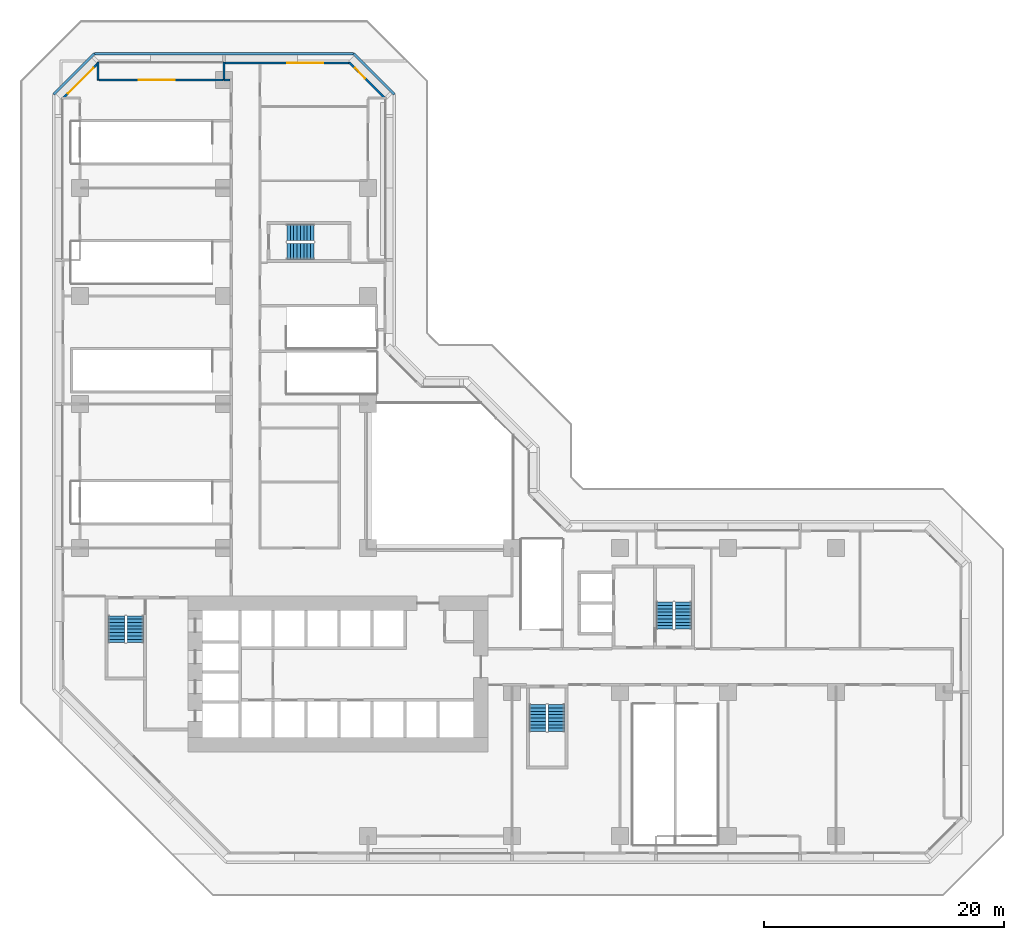
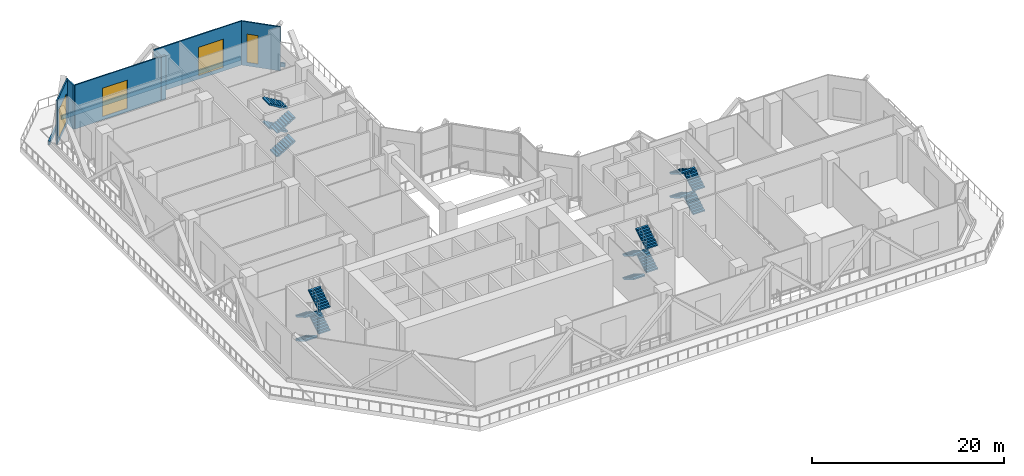
# One storey, part 10 of 16: 16 stair flights, 10 walls, 4 windows, 4 openings, 4 elements without a shape of their own.
"""IFC4 building model written with IfcOpenShell, lengths in metres."""

from ifc_helpers import new_model, si_unit, direction, frame, frame_2d, origin, place, context, subcontext, project, spatial, polyline, rectangle, outline, extrude, material, layer, layer_set, type_object, element, fill, aggregate, save


model = new_model("IFC4")

# Units and contexts
model_context = context("Model", 3, precision=1e-05, world=origin(), true_north=direction((0.0, 1.0)))
body_context = subcontext(model_context, "Body", "Model", "MODEL_VIEW")
ifc_project = project(units=[si_unit("LENGTHUNIT", "METRE"), si_unit("AREAUNIT", "SQUARE_METRE"), si_unit("VOLUMEUNIT", "CUBIC_METRE"), si_unit("PLANEANGLEUNIT", "RADIAN"), si_unit("MASSUNIT", "GRAM", prefix="KILO")], contexts=[model_context])

# Site, building, storey
site_placement = place(None, origin())
site = spatial("IfcSite", under=ifc_project, at=site_placement, CompositionType="ELEMENT")
building_placement = place(site_placement, origin())
building = spatial("IfcBuilding", under=site, at=building_placement, Name="Chenar Terraces", CompositionType="ELEMENT")
storey_placement = place(building_placement, frame((0.0, 0.0, 35.39990234375)))
storey = spatial("IfcBuildingStorey", under=building, at=storey_placement, Name="L06", CompositionType="ELEMENT", Elevation=35.39990234375)

# Wall
ifc_material_1 = material(Name="Gypsum board on steel studs with fire boards", Category="steel")
ifc_layer_1 = layer(ifc_material_1, 0.199951171875)
ifc_layer_set_1 = layer_set([ifc_layer_1], Name="Gypsum board on steel studs with fire boards")
wall_type_1 = type_object("IfcWallType", Name="Corridor wall 200", PredefinedType="PARTITIONING", material=ifc_layer_set_1)
wall_1_placement = place(storey_placement, frame((12.0, 63.0, 0.0), z_axis=(0.0, 0.0, 1.0), x_axis=(1.0, 0.0, 0.0)))
element("IfcWall", 1, at=wall_1_placement, inside=storey, type_object=wall_type_1, Name="Partition L06-014", PredefinedType="PARTITIONING", context=body_context, shape_type="SweptSolid", body=[
    extrude(rectangle(XDim=0.5, YDim=0.199951171875, at=frame_2d((0.25, 0.0))), origin(), (0.0, 0.0, 1.0), 5.60009765625),
])

# Wall, opening, window
ifc_material_2 = material(Name="Aluminium framed glazing", Category="aluminium")
ifc_layer_2 = layer(ifc_material_2, 0.14990234375)
ifc_layer_set_2 = layer_set([ifc_layer_2], Name="Aluminium framed glazing")
wall_type_2 = type_object("IfcWallType", Name="Glazed flush facade wall 150", PredefinedType="SOLIDWALL", material=ifc_layer_set_2)
wall_2_placement = place(storey_placement, frame((22.5, 64.425048828125, 0.0), z_axis=(0.0, 0.0, 1.0), x_axis=(-1.0, 0.0, 0.0)))
wall_2 = element("IfcWall", 2, at=wall_2_placement, inside=storey, type_object=wall_type_2, Name="Glazed flush facade wall", PredefinedType="SOLIDWALL", context=body_context, shape_type="SweptSolid", body=[
    extrude(rectangle(XDim=10.425048828125, YDim=0.14990234375, at=frame_2d((5.21240234375, 0.0))), origin(), (0.0, 0.0, 1.0), 5.60009765625),
])
opening_1_placement = place(wall_2_placement, frame((2.25, 0.0, 0.449951171875)))
opening_1 = element("IfcOpeningElement", 3, at=opening_1_placement, cuts=wall_2, Name="Opening W300x360", PredefinedType="OPENING", context=body_context, shape_type="SweptSolid", body=[
    extrude(rectangle(XDim=3.0, YDim=3.60009765625, at=frame_2d((1.5, 1.800048828125))), frame((0.0, 0.0849609375, 0.0), z_axis=(0.0, -1.0, 0.0), x_axis=(1.0, 0.0, 0.0)), (0.0, 0.0, 1.0), 0.169921875),
])
ifc_material_3 = material(Name="Low emissivity double glazing, aluminium frame", Category="aluminium")
window_type_1 = type_object("IfcWindowType", Name="Fixed light 3000 x 3600", PartitioningType="SINGLE_PANEL", PredefinedType="WINDOW", material=ifc_material_3)
window_1_placement = place(opening_1_placement, origin())
window_1 = element("IfcWindow", 4, at=window_1_placement, inside=storey, type_object=window_type_1, Name="Window", OverallHeight=3.60009765625, OverallWidth=3.0, PartitioningType="SINGLE_PANEL", PredefinedType="WINDOW", context=body_context, shape_type="SweptSolid", body=[
    extrude(rectangle(XDim=3.0, YDim=3.60009765625, at=frame_2d((1.5, 1.800048828125))), frame((0.0, 0.030029296875, 0.0), z_axis=(0.0, -1.0, 0.0), x_axis=(1.0, 0.0, 0.0)), (0.0, 0.0, 1.0), 0.06005859375),
])
fill(opening_1, window_1)

ifc_material_4 = material(Name="Aluminium framed glazing", Category="aluminium")
ifc_layer_3 = layer(ifc_material_4, 0.14990234375)
ifc_layer_set_3 = layer_set([ifc_layer_3], Name="Aluminium framed glazing")
wall_type_3 = type_object("IfcWallType", Name="Glazed loggia back wall 150", PredefinedType="SOLIDWALL", material=ifc_layer_set_3)
wall_3_placement = place(storey_placement, frame((11.925048828125, 63.0, 0.0), z_axis=(0.0, 0.0, 1.0), x_axis=(-1.0, 0.0, 0.0)))
wall_3 = element("IfcWall", 5, at=wall_3_placement, inside=storey, type_object=wall_type_3, Name="Glazed loggia back wall", PredefinedType="SOLIDWALL", context=body_context, shape_type="SweptSolid", body=[
    extrude(rectangle(XDim=10.35009765625, YDim=0.14990234375, at=frame_2d((5.175048828125, 0.0))), origin(), (0.0, 0.0, 1.0), 5.60009765625),
])
opening_2_placement = place(wall_3_placement, frame((4.03759765625, 0.0, 0.449951171875)))
opening_2 = element("IfcOpeningElement", 6, at=opening_2_placement, cuts=wall_3, Name="Opening W300x360", PredefinedType="OPENING", context=body_context, shape_type="SweptSolid", body=[
    extrude(rectangle(XDim=3.0, YDim=3.60009765625, at=frame_2d((1.5, 1.800048828125))), frame((0.0, 0.0849609375, 0.0), z_axis=(0.0, -1.0, 0.0), x_axis=(1.0, 0.0, 0.0)), (0.0, 0.0, 1.0), 0.169921875),
])
window_2_placement = place(opening_2_placement, origin())
window_2 = element("IfcWindow", 7, at=window_2_placement, inside=storey, type_object=window_type_1, Name="Window", OverallHeight=3.60009765625, OverallWidth=3.0, PartitioningType="SINGLE_PANEL", PredefinedType="WINDOW", context=body_context, shape_type="SweptSolid", body=[
    extrude(rectangle(XDim=3.0, YDim=3.60009765625, at=frame_2d((1.5, 1.800048828125))), frame((0.0, 0.030029296875, 0.0), z_axis=(0.0, -1.0, 0.0), x_axis=(1.0, 0.0, 0.0)), (0.0, 0.0, 1.0), 0.06005859375),
])
fill(opening_2, window_2)

# Walls
ifc_material_5 = material(Name="Terracotta cladding on insulated backing", Category="masonry")
ifc_layer_4 = layer(ifc_material_5, 0.14990234375)
ifc_layer_set_4 = layer_set([ifc_layer_4], Name="Terracotta cladding on insulated backing")
wall_type_4 = type_object("IfcWallType", Name="Loggia return wall 150", PredefinedType="SOLIDWALL", material=ifc_layer_set_4)
for number, where, z_axis, x_axis, name in (
    (8, (12.0, 64.5, 0.0), (0.0, 0.0, 1.0), (0.0, -1.0, 0.0), "Loggia return wall"),
    (9, (1.5, 64.5, 0.0), (0.0, 0.0, 1.0), (0.0, -1.0, 0.0), "Loggia return wall"),
):
    element("IfcWall", number, at=place(storey_placement, frame(where, z_axis=z_axis, x_axis=x_axis)), inside=storey, type_object=wall_type_4, Name=name, PredefinedType="SOLIDWALL", context=body_context, shape_type="SweptSolid", body=[
        extrude(rectangle(XDim=1.5, YDim=0.14990234375, at=frame_2d((0.75, 0.0))), origin(), (0.0, 0.0, 1.0), 5.60009765625),
    ])
ifc_material_6 = material(Name="Terracotta cladding on insulated backing", Category="masonry")
ifc_layer_5 = layer(ifc_material_6, 0.199951171875)
ifc_layer_set_5 = layer_set([ifc_layer_5], Name="Terracotta cladding on insulated backing")
wall_type_5 = type_object("IfcWallType", Name="Terrace parapet upstand 200", PredefinedType="PARAPET", material=ifc_layer_set_5)
wall_4_placement = place(storey_placement, frame((-2.199951171875, 61.7900390625, 0.0), z_axis=(0.0, 0.0, 1.0), x_axis=(0.707106781187, 0.707106781187, 0.0)))
element("IfcWall", 10, at=wall_4_placement, inside=storey, type_object=wall_type_5, Name="Terrace parapet", PredefinedType="PARAPET", context=body_context, shape_type="SweptSolid", body=[
    extrude(rectangle(XDim=4.822265625, YDim=0.199951171875, at=frame_2d((2.4111328125, 0.0))), origin(), (0.0, 0.0, 1.0), 0.5),
])
wall_5_placement = place(storey_placement, frame((1.2099609375, 65.199951171875, 0.0), z_axis=(0.0, 0.0, 1.0), x_axis=(1.0, 0.0, 0.0)))
element("IfcWall", 11, at=wall_5_placement, inside=storey, type_object=wall_type_5, Name="Terrace parapet", PredefinedType="PARAPET", context=body_context, shape_type="SweptSolid", body=[
    extrude(rectangle(XDim=21.580078125, YDim=0.199951171875, at=frame_2d((10.7900390625, 0.0))), origin(), (0.0, 0.0, 1.0), 0.5),
])
wall_6_placement = place(storey_placement, frame((22.7900390625, 65.199951171875, 0.0), z_axis=(0.0, 0.0, 1.0), x_axis=(0.707106781187, -0.707106781187, 0.0)))
element("IfcWall", 12, at=wall_6_placement, inside=storey, type_object=wall_type_5, Name="Terrace parapet", PredefinedType="PARAPET", context=body_context, shape_type="SweptSolid", body=[
    extrude(rectangle(XDim=4.822265625, YDim=0.199951171875, at=frame_2d((2.4111328125, 0.0))), origin(), (0.0, 0.0, 1.0), 0.5),
])

# Wall, opening, window
ifc_material_7 = material(Name="Terracotta cladding on insulated backing", Category="masonry")
ifc_layer_6 = layer(ifc_material_7, 0.14990234375)
ifc_layer_set_6 = layer_set([ifc_layer_6], Name="Terracotta cladding on insulated backing")
wall_type_6 = type_object("IfcWallType", Name="Terracotta rainscreen wall 150", PredefinedType="SOLIDWALL", material=ifc_layer_set_6)
wall_7_placement = place(storey_placement, frame((25.447021484375, 61.447021484375, 0.0), z_axis=(0.0, 0.0, 1.0), x_axis=(-0.707106781187, 0.707106781187, 0.0)))
wall_7 = element("IfcWall", 13, at=wall_7_placement, inside=storey, type_object=wall_type_6, Name="Terracotta rainscreen wall", PredefinedType="SOLIDWALL", context=body_context, shape_type="SweptSolid", body=[
    extrude(rectangle(XDim=4.24267578125, YDim=0.14990234375, at=frame_2d((2.121337890625, 0.0))), origin(), (0.0, 0.0, 1.0), 5.60009765625),
])
opening_3_placement = place(wall_7_placement, frame((2.39453125, 0.0, 0.449951171875)))
opening_3 = element("IfcOpeningElement", 14, at=opening_3_placement, cuts=wall_7, Name="Opening W120x360", PredefinedType="OPENING", context=body_context, shape_type="SweptSolid", body=[
    extrude(rectangle(XDim=1.199951171875, YDim=3.60009765625, at=frame_2d((0.60009765625, 1.800048828125))), frame((0.0, 0.0849609375, 0.0), z_axis=(0.0, -1.0, 0.0), x_axis=(1.0, 0.0, 0.0)), (0.0, 0.0, 1.0), 0.169921875),
])
ifc_material_8 = material(Name="Low emissivity double glazing, aluminium frame", Category="aluminium")
window_type_2 = type_object("IfcWindowType", Name="Fixed light 1200 x 3600", PartitioningType="SINGLE_PANEL", PredefinedType="WINDOW", material=ifc_material_8)
window_3_placement = place(opening_3_placement, origin())
window_3 = element("IfcWindow", 15, at=window_3_placement, inside=storey, type_object=window_type_2, Name="Window", OverallHeight=3.60009765625, OverallWidth=1.199951171875, PartitioningType="SINGLE_PANEL", PredefinedType="WINDOW", context=body_context, shape_type="SweptSolid", body=[
    extrude(rectangle(XDim=1.199951171875, YDim=3.60009765625, at=frame_2d((0.60009765625, 1.800048828125))), frame((0.0, 0.030029296875, 0.0), z_axis=(0.0, -1.0, 0.0), x_axis=(1.0, 0.0, 0.0)), (0.0, 0.0, 1.0), 0.06005859375),
])
fill(opening_3, window_3)

wall_8_placement = place(storey_placement, frame((1.552978515625, 64.447021484375, 0.0), z_axis=(0.0, 0.0, 1.0), x_axis=(-0.707106781187, -0.707106781187, 0.0)))
wall_8 = element("IfcWall", 16, at=wall_8_placement, inside=storey, type_object=wall_type_6, Name="Terracotta rainscreen wall", PredefinedType="SOLIDWALL", context=body_context, shape_type="SweptSolid", body=[
    extrude(rectangle(XDim=4.24267578125, YDim=0.14990234375, at=frame_2d((2.121337890625, 0.0))), origin(), (0.0, 0.0, 1.0), 5.60009765625),
])
opening_4_placement = place(wall_8_placement, frame((0.621337890625, 0.0, 0.449951171875)))
opening_4 = element("IfcOpeningElement", 17, at=opening_4_placement, cuts=wall_8, Name="Opening W300x360", PredefinedType="OPENING", context=body_context, shape_type="SweptSolid", body=[
    extrude(rectangle(XDim=3.0, YDim=3.60009765625, at=frame_2d((1.5, 1.800048828125))), frame((0.0, 0.0849609375, 0.0), z_axis=(0.0, -1.0, 0.0), x_axis=(1.0, 0.0, 0.0)), (0.0, 0.0, 1.0), 0.169921875),
])
window_4_placement = place(opening_4_placement, origin())
window_4 = element("IfcWindow", 18, at=window_4_placement, inside=storey, type_object=window_type_1, Name="Window", OverallHeight=3.60009765625, OverallWidth=3.0, PartitioningType="SINGLE_PANEL", PredefinedType="WINDOW", context=body_context, shape_type="SweptSolid", body=[
    extrude(rectangle(XDim=3.0, YDim=3.60009765625, at=frame_2d((1.5, 1.800048828125))), frame((0.0, 0.030029296875, 0.0), z_axis=(0.0, -1.0, 0.0), x_axis=(1.0, 0.0, 0.0)), (0.0, 0.0, 1.0), 0.06005859375),
])
fill(opening_4, window_4)

# Stair, stair flights
ifc_material_9 = material(Name="Reinforced concrete C40/50", Category="concrete")
stair_type = type_object("IfcStairType", Name="Core stair 1400 half-turn", PredefinedType="HALF_TURN_STAIR", material=ifc_material_9)
placement = place(storey_placement, origin())
stair_1 = element("IfcStair", 19, at=placement, inside=storey, type_object=stair_type, Name="L06 Stair 1", PredefinedType="HALF_TURN_STAIR")
ifc_material_10 = material(Name="Reinforced concrete C40/50", Category="concrete")
stair_flight_type = type_object("IfcStairFlightType", Name="Core stair flight 1400", PredefinedType="STRAIGHT", material=ifc_material_10)
stair_flight_1_placement = place(storey_placement, frame((3.050048828125, 18.35009765625, 0.0), z_axis=(0.0, 0.0, 1.0), x_axis=(0.0, -1.0, 0.0)))
stair_flight_1 = element("IfcStairFlight", 20, at=stair_flight_1_placement, type_object=stair_flight_type, Name="ST1 flight 1", NumberOfRisers=9, NumberOfTreads=8, PredefinedType="STRAIGHT", RiserHeight=0.166666667, TreadLength=0.28, context=body_context, shape_type="SweptSolid", body=[
    extrude(outline(polyline([(-0.0029296875, 0.0), (-0.0029296875, 0.166748046875), (0.0, 0.166748046875), (0.280029296875, 0.166748046875), (0.280029296875, 0.333251953125), (0.56005859375, 0.333251953125), (0.56005859375, 0.5), (0.840087890625, 0.5), (0.840087890625, 0.666748046875), (1.1201171875, 0.666748046875), (1.1201171875, 0.833251953125), (1.39990234375, 0.833251953125), (1.39990234375, 1.0), (1.679931640625, 1.0), (1.679931640625, 1.166748046875), (1.9599609375, 1.166748046875), (1.9599609375, 1.333251953125), (2.239990234375, 1.333251953125), (2.242919921875, 1.333251953125), (2.242919921875, 1.158935546875), (2.239990234375, 1.158935546875), (0.29296875, 0.0), (-0.0029296875, 0.0)])), frame((0.0, 0.699951171875, 0.0), z_axis=(0.0, -1.0, 0.0), x_axis=(1.0, 0.0, 0.0)), (0.0, 0.0, 1.0), 1.39990234375),
])
stair_flight_2_placement = place(storey_placement, frame((4.60009765625, 16.110107421875, 1.5), z_axis=(0.0, 0.0, 1.0), x_axis=(0.0, 1.0, 0.0)))
stair_flight_2 = element("IfcStairFlight", 21, at=stair_flight_2_placement, type_object=stair_flight_type, Name="ST1 flight 2", NumberOfRisers=9, NumberOfTreads=8, PredefinedType="STRAIGHT", RiserHeight=0.166666667, TreadLength=0.28, context=body_context, shape_type="SweptSolid", body=[
    extrude(outline(polyline([(-0.0029296875, 0.0), (-0.0029296875, 0.166748046875), (0.0, 0.166748046875), (0.280029296875, 0.166748046875), (0.280029296875, 0.333251953125), (0.56005859375, 0.333251953125), (0.56005859375, 0.5), (0.840087890625, 0.5), (0.840087890625, 0.666748046875), (1.1201171875, 0.666748046875), (1.1201171875, 0.833251953125), (1.39990234375, 0.833251953125), (1.39990234375, 1.0), (1.679931640625, 1.0), (1.679931640625, 1.166748046875), (1.9599609375, 1.166748046875), (1.9599609375, 1.333251953125), (2.239990234375, 1.333251953125), (2.242919921875, 1.333251953125), (2.242919921875, 1.158935546875), (2.239990234375, 1.158935546875), (0.29296875, 0.0), (-0.0029296875, 0.0)])), frame((0.0, 0.699951171875, 0.0), z_axis=(0.0, -1.0, 0.0), x_axis=(1.0, 0.0, 0.0)), (0.0, 0.0, 1.0), 1.39990234375),
])
stair_flight_3_placement = place(storey_placement, frame((3.050048828125, 18.35009765625, 3.0), z_axis=(0.0, 0.0, 1.0), x_axis=(0.0, -1.0, 0.0)))
stair_flight_3 = element("IfcStairFlight", 22, at=stair_flight_3_placement, type_object=stair_flight_type, Name="ST1 flight 3", NumberOfRisers=9, NumberOfTreads=8, PredefinedType="STRAIGHT", RiserHeight=0.166666667, TreadLength=0.28, context=body_context, shape_type="SweptSolid", body=[
    extrude(outline(polyline([(-0.0029296875, 0.0), (-0.0029296875, 0.166748046875), (0.0, 0.166748046875), (0.280029296875, 0.166748046875), (0.280029296875, 0.333251953125), (0.56005859375, 0.333251953125), (0.56005859375, 0.5), (0.840087890625, 0.5), (0.840087890625, 0.666748046875), (1.1201171875, 0.666748046875), (1.1201171875, 0.833251953125), (1.39990234375, 0.833251953125), (1.39990234375, 1.0), (1.679931640625, 1.0), (1.679931640625, 1.166748046875), (1.9599609375, 1.166748046875), (1.9599609375, 1.333251953125), (2.239990234375, 1.333251953125), (2.242919921875, 1.333251953125), (2.242919921875, 1.158935546875), (2.239990234375, 1.158935546875), (0.29296875, 0.0), (-0.0029296875, 0.0)])), frame((0.0, 0.699951171875, 0.0), z_axis=(0.0, -1.0, 0.0), x_axis=(1.0, 0.0, 0.0)), (0.0, 0.0, 1.0), 1.39990234375),
])
stair_flight_4_placement = place(storey_placement, frame((4.60009765625, 16.110107421875, 4.5), z_axis=(0.0, 0.0, 1.0), x_axis=(0.0, 1.0, 0.0)))
stair_flight_4 = element("IfcStairFlight", 23, at=stair_flight_4_placement, type_object=stair_flight_type, Name="ST1 flight 4", NumberOfRisers=9, NumberOfTreads=8, PredefinedType="STRAIGHT", RiserHeight=0.166666667, TreadLength=0.28, context=body_context, shape_type="SweptSolid", body=[
    extrude(outline(polyline([(-0.0029296875, 0.0), (-0.0029296875, 0.166748046875), (0.0, 0.166748046875), (0.280029296875, 0.166748046875), (0.280029296875, 0.333251953125), (0.56005859375, 0.333251953125), (0.56005859375, 0.5), (0.840087890625, 0.5), (0.840087890625, 0.666748046875), (1.1201171875, 0.666748046875), (1.1201171875, 0.833251953125), (1.39990234375, 0.833251953125), (1.39990234375, 1.0), (1.679931640625, 1.0), (1.679931640625, 1.166748046875), (1.9599609375, 1.166748046875), (1.9599609375, 1.333251953125), (2.239990234375, 1.333251953125), (2.242919921875, 1.333251953125), (2.242919921875, 1.158935546875), (2.239990234375, 1.158935546875), (0.29296875, 0.0), (-0.0029296875, 0.0)])), frame((0.0, 0.699951171875, 0.0), z_axis=(0.0, -1.0, 0.0), x_axis=(1.0, 0.0, 0.0)), (0.0, 0.0, 1.0), 1.39990234375),
])
aggregate(stair_1, [stair_flight_1, stair_flight_2, stair_flight_3, stair_flight_4])

stair_2 = element("IfcStair", 24, at=placement, inside=storey, type_object=stair_type, Name="L06 Stair 2", PredefinedType="HALF_TURN_STAIR")
stair_flight_5_placement = place(storey_placement, frame((38.14990234375, 10.949951171875, 0.0), z_axis=(0.0, 0.0, 1.0), x_axis=(0.0, -1.0, 0.0)))
stair_flight_5 = element("IfcStairFlight", 25, at=stair_flight_5_placement, type_object=stair_flight_type, Name="ST2 flight 1", NumberOfRisers=9, NumberOfTreads=8, PredefinedType="STRAIGHT", RiserHeight=0.166666667, TreadLength=0.28, context=body_context, shape_type="SweptSolid", body=[
    extrude(outline(polyline([(-0.0029296875, 0.0), (-0.0029296875, 0.166748046875), (0.0, 0.166748046875), (0.280029296875, 0.166748046875), (0.280029296875, 0.333251953125), (0.56005859375, 0.333251953125), (0.56005859375, 0.5), (0.840087890625, 0.5), (0.840087890625, 0.666748046875), (1.1201171875, 0.666748046875), (1.1201171875, 0.833251953125), (1.39990234375, 0.833251953125), (1.39990234375, 1.0), (1.679931640625, 1.0), (1.679931640625, 1.166748046875), (1.9599609375, 1.166748046875), (1.9599609375, 1.333251953125), (2.239990234375, 1.333251953125), (2.242919921875, 1.333251953125), (2.242919921875, 1.158935546875), (2.239990234375, 1.158935546875), (0.29296875, 0.0), (-0.0029296875, 0.0)])), frame((0.0, 0.699951171875, 0.0), z_axis=(0.0, -1.0, 0.0), x_axis=(1.0, 0.0, 0.0)), (0.0, 0.0, 1.0), 1.39990234375),
])
stair_flight_6_placement = place(storey_placement, frame((39.699951171875, 8.7099609375, 1.5), z_axis=(0.0, 0.0, 1.0), x_axis=(0.0, 1.0, 0.0)))
stair_flight_6 = element("IfcStairFlight", 26, at=stair_flight_6_placement, type_object=stair_flight_type, Name="ST2 flight 2", NumberOfRisers=9, NumberOfTreads=8, PredefinedType="STRAIGHT", RiserHeight=0.166666667, TreadLength=0.28, context=body_context, shape_type="SweptSolid", body=[
    extrude(outline(polyline([(-0.0029296875, 0.0), (-0.0029296875, 0.166748046875), (0.0, 0.166748046875), (0.280029296875, 0.166748046875), (0.280029296875, 0.333251953125), (0.56005859375, 0.333251953125), (0.56005859375, 0.5), (0.840087890625, 0.5), (0.840087890625, 0.666748046875), (1.1201171875, 0.666748046875), (1.1201171875, 0.833251953125), (1.39990234375, 0.833251953125), (1.39990234375, 1.0), (1.679931640625, 1.0), (1.679931640625, 1.166748046875), (1.9599609375, 1.166748046875), (1.9599609375, 1.333251953125), (2.239990234375, 1.333251953125), (2.242919921875, 1.333251953125), (2.242919921875, 1.158935546875), (2.239990234375, 1.158935546875), (0.29296875, 0.0), (-0.0029296875, 0.0)])), frame((0.0, 0.699951171875, 0.0), z_axis=(0.0, -1.0, 0.0), x_axis=(1.0, 0.0, 0.0)), (0.0, 0.0, 1.0), 1.39990234375),
])
stair_flight_7_placement = place(storey_placement, frame((38.14990234375, 10.949951171875, 3.0), z_axis=(0.0, 0.0, 1.0), x_axis=(0.0, -1.0, 0.0)))
stair_flight_7 = element("IfcStairFlight", 27, at=stair_flight_7_placement, type_object=stair_flight_type, Name="ST2 flight 3", NumberOfRisers=9, NumberOfTreads=8, PredefinedType="STRAIGHT", RiserHeight=0.166666667, TreadLength=0.28, context=body_context, shape_type="SweptSolid", body=[
    extrude(outline(polyline([(-0.0029296875, 0.0), (-0.0029296875, 0.166748046875), (0.0, 0.166748046875), (0.280029296875, 0.166748046875), (0.280029296875, 0.333251953125), (0.56005859375, 0.333251953125), (0.56005859375, 0.5), (0.840087890625, 0.5), (0.840087890625, 0.666748046875), (1.1201171875, 0.666748046875), (1.1201171875, 0.833251953125), (1.39990234375, 0.833251953125), (1.39990234375, 1.0), (1.679931640625, 1.0), (1.679931640625, 1.166748046875), (1.9599609375, 1.166748046875), (1.9599609375, 1.333251953125), (2.239990234375, 1.333251953125), (2.242919921875, 1.333251953125), (2.242919921875, 1.158935546875), (2.239990234375, 1.158935546875), (0.29296875, 0.0), (-0.0029296875, 0.0)])), frame((0.0, 0.699951171875, 0.0), z_axis=(0.0, -1.0, 0.0), x_axis=(1.0, 0.0, 0.0)), (0.0, 0.0, 1.0), 1.39990234375),
])
stair_flight_8_placement = place(storey_placement, frame((39.699951171875, 8.7099609375, 4.5), z_axis=(0.0, 0.0, 1.0), x_axis=(0.0, 1.0, 0.0)))
stair_flight_8 = element("IfcStairFlight", 28, at=stair_flight_8_placement, type_object=stair_flight_type, Name="ST2 flight 4", NumberOfRisers=9, NumberOfTreads=8, PredefinedType="STRAIGHT", RiserHeight=0.166666667, TreadLength=0.28, context=body_context, shape_type="SweptSolid", body=[
    extrude(outline(polyline([(-0.0029296875, 0.0), (-0.0029296875, 0.166748046875), (0.0, 0.166748046875), (0.280029296875, 0.166748046875), (0.280029296875, 0.333251953125), (0.56005859375, 0.333251953125), (0.56005859375, 0.5), (0.840087890625, 0.5), (0.840087890625, 0.666748046875), (1.1201171875, 0.666748046875), (1.1201171875, 0.833251953125), (1.39990234375, 0.833251953125), (1.39990234375, 1.0), (1.679931640625, 1.0), (1.679931640625, 1.166748046875), (1.9599609375, 1.166748046875), (1.9599609375, 1.333251953125), (2.239990234375, 1.333251953125), (2.242919921875, 1.333251953125), (2.242919921875, 1.158935546875), (2.239990234375, 1.158935546875), (0.29296875, 0.0), (-0.0029296875, 0.0)])), frame((0.0, 0.699951171875, 0.0), z_axis=(0.0, -1.0, 0.0), x_axis=(1.0, 0.0, 0.0)), (0.0, 0.0, 1.0), 1.39990234375),
])
aggregate(stair_2, [stair_flight_5, stair_flight_6, stair_flight_7, stair_flight_8])

stair_3 = element("IfcStair", 29, at=placement, inside=storey, type_object=stair_type, Name="L06 Stair 3", PredefinedType="HALF_TURN_STAIR")
stair_flight_9_placement = place(storey_placement, frame((50.27490234375, 17.25, 0.0), z_axis=(0.0, 0.0, 1.0), x_axis=(0.0, 1.0, 0.0)))
stair_flight_9 = element("IfcStairFlight", 30, at=stair_flight_9_placement, type_object=stair_flight_type, Name="ST3 flight 1", NumberOfRisers=9, NumberOfTreads=8, PredefinedType="STRAIGHT", RiserHeight=0.166666667, TreadLength=0.28, context=body_context, shape_type="SweptSolid", body=[
    extrude(outline(polyline([(-0.0029296875, 0.0), (-0.0029296875, 0.166748046875), (0.0, 0.166748046875), (0.280029296875, 0.166748046875), (0.280029296875, 0.333251953125), (0.56005859375, 0.333251953125), (0.56005859375, 0.5), (0.840087890625, 0.5), (0.840087890625, 0.666748046875), (1.1201171875, 0.666748046875), (1.1201171875, 0.833251953125), (1.39990234375, 0.833251953125), (1.39990234375, 1.0), (1.679931640625, 1.0), (1.679931640625, 1.166748046875), (1.9599609375, 1.166748046875), (1.9599609375, 1.333251953125), (2.239990234375, 1.333251953125), (2.242919921875, 1.333251953125), (2.242919921875, 1.158935546875), (2.239990234375, 1.158935546875), (0.29296875, 0.0), (-0.0029296875, 0.0)])), frame((0.0, 0.699951171875, 0.0), z_axis=(0.0, -1.0, 0.0), x_axis=(1.0, 0.0, 0.0)), (0.0, 0.0, 1.0), 1.39990234375),
])
stair_flight_10_placement = place(storey_placement, frame((48.72509765625, 19.489990234375, 1.5), z_axis=(0.0, 0.0, 1.0), x_axis=(0.0, -1.0, 0.0)))
stair_flight_10 = element("IfcStairFlight", 31, at=stair_flight_10_placement, type_object=stair_flight_type, Name="ST3 flight 2", NumberOfRisers=9, NumberOfTreads=8, PredefinedType="STRAIGHT", RiserHeight=0.166666667, TreadLength=0.28, context=body_context, shape_type="SweptSolid", body=[
    extrude(outline(polyline([(-0.0029296875, 0.0), (-0.0029296875, 0.166748046875), (0.0, 0.166748046875), (0.280029296875, 0.166748046875), (0.280029296875, 0.333251953125), (0.56005859375, 0.333251953125), (0.56005859375, 0.5), (0.840087890625, 0.5), (0.840087890625, 0.666748046875), (1.1201171875, 0.666748046875), (1.1201171875, 0.833251953125), (1.39990234375, 0.833251953125), (1.39990234375, 1.0), (1.679931640625, 1.0), (1.679931640625, 1.166748046875), (1.9599609375, 1.166748046875), (1.9599609375, 1.333251953125), (2.239990234375, 1.333251953125), (2.242919921875, 1.333251953125), (2.242919921875, 1.158935546875), (2.239990234375, 1.158935546875), (0.29296875, 0.0), (-0.0029296875, 0.0)])), frame((0.0, 0.699951171875, 0.0), z_axis=(0.0, -1.0, 0.0), x_axis=(1.0, 0.0, 0.0)), (0.0, 0.0, 1.0), 1.39990234375),
])
stair_flight_11_placement = place(storey_placement, frame((50.27490234375, 17.25, 3.0), z_axis=(0.0, 0.0, 1.0), x_axis=(0.0, 1.0, 0.0)))
stair_flight_11 = element("IfcStairFlight", 32, at=stair_flight_11_placement, type_object=stair_flight_type, Name="ST3 flight 3", NumberOfRisers=9, NumberOfTreads=8, PredefinedType="STRAIGHT", RiserHeight=0.166666667, TreadLength=0.28, context=body_context, shape_type="SweptSolid", body=[
    extrude(outline(polyline([(-0.0029296875, 0.0), (-0.0029296875, 0.166748046875), (0.0, 0.166748046875), (0.280029296875, 0.166748046875), (0.280029296875, 0.333251953125), (0.56005859375, 0.333251953125), (0.56005859375, 0.5), (0.840087890625, 0.5), (0.840087890625, 0.666748046875), (1.1201171875, 0.666748046875), (1.1201171875, 0.833251953125), (1.39990234375, 0.833251953125), (1.39990234375, 1.0), (1.679931640625, 1.0), (1.679931640625, 1.166748046875), (1.9599609375, 1.166748046875), (1.9599609375, 1.333251953125), (2.239990234375, 1.333251953125), (2.242919921875, 1.333251953125), (2.242919921875, 1.158935546875), (2.239990234375, 1.158935546875), (0.29296875, 0.0), (-0.0029296875, 0.0)])), frame((0.0, 0.699951171875, 0.0), z_axis=(0.0, -1.0, 0.0), x_axis=(1.0, 0.0, 0.0)), (0.0, 0.0, 1.0), 1.39990234375),
])
stair_flight_12_placement = place(storey_placement, frame((48.72509765625, 19.489990234375, 4.5), z_axis=(0.0, 0.0, 1.0), x_axis=(0.0, -1.0, 0.0)))
stair_flight_12 = element("IfcStairFlight", 33, at=stair_flight_12_placement, type_object=stair_flight_type, Name="ST3 flight 4", NumberOfRisers=9, NumberOfTreads=8, PredefinedType="STRAIGHT", RiserHeight=0.166666667, TreadLength=0.28, context=body_context, shape_type="SweptSolid", body=[
    extrude(outline(polyline([(-0.0029296875, 0.0), (-0.0029296875, 0.166748046875), (0.0, 0.166748046875), (0.280029296875, 0.166748046875), (0.280029296875, 0.333251953125), (0.56005859375, 0.333251953125), (0.56005859375, 0.5), (0.840087890625, 0.5), (0.840087890625, 0.666748046875), (1.1201171875, 0.666748046875), (1.1201171875, 0.833251953125), (1.39990234375, 0.833251953125), (1.39990234375, 1.0), (1.679931640625, 1.0), (1.679931640625, 1.166748046875), (1.9599609375, 1.166748046875), (1.9599609375, 1.333251953125), (2.239990234375, 1.333251953125), (2.242919921875, 1.333251953125), (2.242919921875, 1.158935546875), (2.239990234375, 1.158935546875), (0.29296875, 0.0), (-0.0029296875, 0.0)])), frame((0.0, 0.699951171875, 0.0), z_axis=(0.0, -1.0, 0.0), x_axis=(1.0, 0.0, 0.0)), (0.0, 0.0, 1.0), 1.39990234375),
])
aggregate(stair_3, [stair_flight_9, stair_flight_10, stair_flight_11, stair_flight_12])

stair_4 = element("IfcStair", 34, at=placement, inside=storey, type_object=stair_type, Name="L06 Stair 4", PredefinedType="HALF_TURN_STAIR")
stair_flight_13_placement = place(storey_placement, frame((17.25, 48.72509765625, 0.0), z_axis=(0.0, 0.0, 1.0), x_axis=(1.0, 0.0, 0.0)))
stair_flight_13 = element("IfcStairFlight", 35, at=stair_flight_13_placement, type_object=stair_flight_type, Name="ST4 flight 1", NumberOfRisers=9, NumberOfTreads=8, PredefinedType="STRAIGHT", RiserHeight=0.166666667, TreadLength=0.28, context=body_context, shape_type="SweptSolid", body=[
    extrude(outline(polyline([(-0.0029296875, 0.0), (-0.0029296875, 0.166748046875), (0.0, 0.166748046875), (0.280029296875, 0.166748046875), (0.280029296875, 0.333251953125), (0.56005859375, 0.333251953125), (0.56005859375, 0.5), (0.840087890625, 0.5), (0.840087890625, 0.666748046875), (1.1201171875, 0.666748046875), (1.1201171875, 0.833251953125), (1.39990234375, 0.833251953125), (1.39990234375, 1.0), (1.679931640625, 1.0), (1.679931640625, 1.166748046875), (1.9599609375, 1.166748046875), (1.9599609375, 1.333251953125), (2.239990234375, 1.333251953125), (2.242919921875, 1.333251953125), (2.242919921875, 1.158935546875), (2.239990234375, 1.158935546875), (0.29296875, 0.0), (-0.0029296875, 0.0)])), frame((0.0, 0.699951171875, 0.0), z_axis=(0.0, -1.0, 0.0), x_axis=(1.0, 0.0, 0.0)), (0.0, 0.0, 1.0), 1.39990234375),
])
stair_flight_14_placement = place(storey_placement, frame((19.489990234375, 50.27490234375, 1.5), z_axis=(0.0, 0.0, 1.0), x_axis=(-1.0, 0.0, 0.0)))
stair_flight_14 = element("IfcStairFlight", 36, at=stair_flight_14_placement, type_object=stair_flight_type, Name="ST4 flight 2", NumberOfRisers=9, NumberOfTreads=8, PredefinedType="STRAIGHT", RiserHeight=0.166666667, TreadLength=0.28, context=body_context, shape_type="SweptSolid", body=[
    extrude(outline(polyline([(-0.0029296875, 0.0), (-0.0029296875, 0.166748046875), (0.0, 0.166748046875), (0.280029296875, 0.166748046875), (0.280029296875, 0.333251953125), (0.56005859375, 0.333251953125), (0.56005859375, 0.5), (0.840087890625, 0.5), (0.840087890625, 0.666748046875), (1.1201171875, 0.666748046875), (1.1201171875, 0.833251953125), (1.39990234375, 0.833251953125), (1.39990234375, 1.0), (1.679931640625, 1.0), (1.679931640625, 1.166748046875), (1.9599609375, 1.166748046875), (1.9599609375, 1.333251953125), (2.239990234375, 1.333251953125), (2.242919921875, 1.333251953125), (2.242919921875, 1.158935546875), (2.239990234375, 1.158935546875), (0.29296875, 0.0), (-0.0029296875, 0.0)])), frame((0.0, 0.699951171875, 0.0), z_axis=(0.0, -1.0, 0.0), x_axis=(1.0, 0.0, 0.0)), (0.0, 0.0, 1.0), 1.39990234375),
])
stair_flight_15_placement = place(storey_placement, frame((17.25, 48.72509765625, 3.0), z_axis=(0.0, 0.0, 1.0), x_axis=(1.0, 0.0, 0.0)))
stair_flight_15 = element("IfcStairFlight", 37, at=stair_flight_15_placement, type_object=stair_flight_type, Name="ST4 flight 3", NumberOfRisers=9, NumberOfTreads=8, PredefinedType="STRAIGHT", RiserHeight=0.166666667, TreadLength=0.28, context=body_context, shape_type="SweptSolid", body=[
    extrude(outline(polyline([(-0.0029296875, 0.0), (-0.0029296875, 0.166748046875), (0.0, 0.166748046875), (0.280029296875, 0.166748046875), (0.280029296875, 0.333251953125), (0.56005859375, 0.333251953125), (0.56005859375, 0.5), (0.840087890625, 0.5), (0.840087890625, 0.666748046875), (1.1201171875, 0.666748046875), (1.1201171875, 0.833251953125), (1.39990234375, 0.833251953125), (1.39990234375, 1.0), (1.679931640625, 1.0), (1.679931640625, 1.166748046875), (1.9599609375, 1.166748046875), (1.9599609375, 1.333251953125), (2.239990234375, 1.333251953125), (2.242919921875, 1.333251953125), (2.242919921875, 1.158935546875), (2.239990234375, 1.158935546875), (0.29296875, 0.0), (-0.0029296875, 0.0)])), frame((0.0, 0.699951171875, 0.0), z_axis=(0.0, -1.0, 0.0), x_axis=(1.0, 0.0, 0.0)), (0.0, 0.0, 1.0), 1.39990234375),
])
stair_flight_16_placement = place(storey_placement, frame((19.489990234375, 50.27490234375, 4.5), z_axis=(0.0, 0.0, 1.0), x_axis=(-1.0, 0.0, 0.0)))
stair_flight_16 = element("IfcStairFlight", 38, at=stair_flight_16_placement, type_object=stair_flight_type, Name="ST4 flight 4", NumberOfRisers=9, NumberOfTreads=8, PredefinedType="STRAIGHT", RiserHeight=0.166666667, TreadLength=0.28, context=body_context, shape_type="SweptSolid", body=[
    extrude(outline(polyline([(-0.0029296875, 0.0), (-0.0029296875, 0.166748046875), (0.0, 0.166748046875), (0.280029296875, 0.166748046875), (0.280029296875, 0.333251953125), (0.56005859375, 0.333251953125), (0.56005859375, 0.5), (0.840087890625, 0.5), (0.840087890625, 0.666748046875), (1.1201171875, 0.666748046875), (1.1201171875, 0.833251953125), (1.39990234375, 0.833251953125), (1.39990234375, 1.0), (1.679931640625, 1.0), (1.679931640625, 1.166748046875), (1.9599609375, 1.166748046875), (1.9599609375, 1.333251953125), (2.239990234375, 1.333251953125), (2.242919921875, 1.333251953125), (2.242919921875, 1.158935546875), (2.239990234375, 1.158935546875), (0.29296875, 0.0), (-0.0029296875, 0.0)])), frame((0.0, 0.699951171875, 0.0), z_axis=(0.0, -1.0, 0.0), x_axis=(1.0, 0.0, 0.0)), (0.0, 0.0, 1.0), 1.39990234375),
])
aggregate(stair_4, [stair_flight_13, stair_flight_14, stair_flight_15, stair_flight_16])

save(model, "model.ifc")
